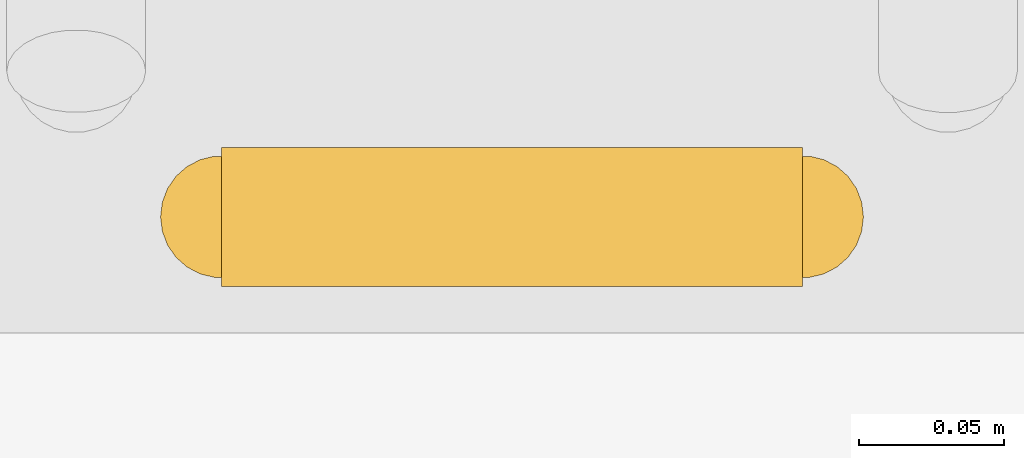
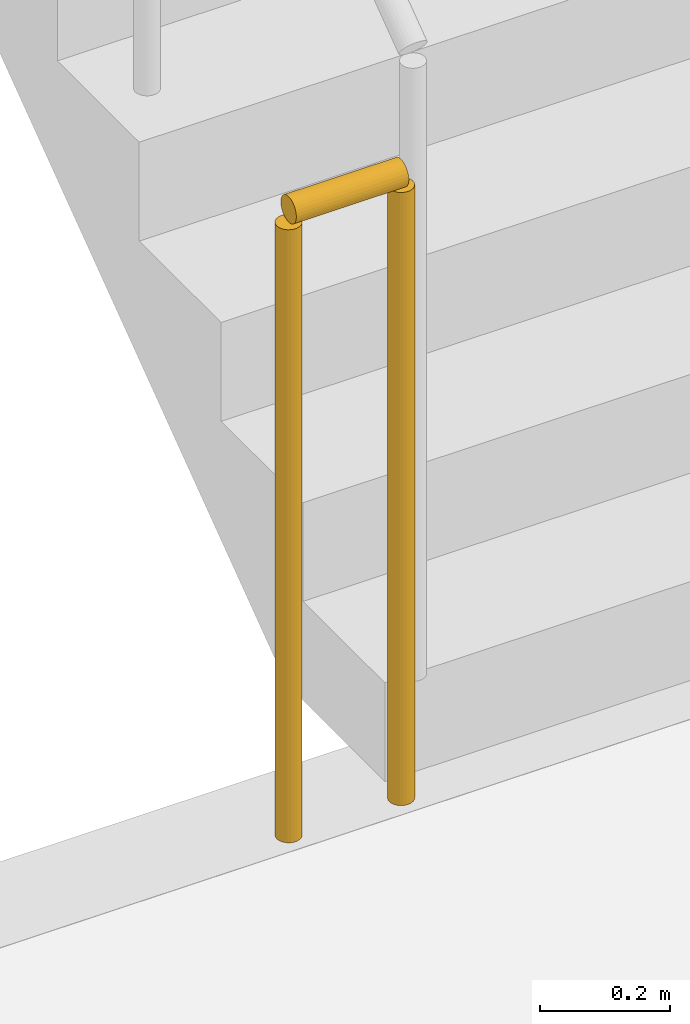
# One storey, part 11 of 15: 1 railing.
"""IFC4 building model written with IfcOpenShell, lengths in metres."""

from ifc_helpers import new_model, si_unit, direction, frame, origin, origin_2d, place, context, subcontext, project, spatial, circle, extrude, material, layer, layer_set, type_object, element, save


model = new_model("IFC4")

# Units and contexts
model_context = context("Model", 3, precision=1e-05, world=origin(), true_north=direction((0.0, 1.0)))
body_context = subcontext(model_context, "Body", "Model", "MODEL_VIEW")
ifc_project = project(units=[si_unit("LENGTHUNIT", "METRE"), si_unit("AREAUNIT", "SQUARE_METRE"), si_unit("VOLUMEUNIT", "CUBIC_METRE"), si_unit("PLANEANGLEUNIT", "RADIAN"), si_unit("MASSUNIT", "GRAM", prefix="KILO")], contexts=[model_context])

# Site, building, storey
site_placement = place(None, origin())
site = spatial("IfcSite", under=ifc_project, at=site_placement, CompositionType="ELEMENT")
building_placement = place(site_placement, origin())
building = spatial("IfcBuilding", under=site, at=building_placement, Name="Noeulbin Bourse Tower", CompositionType="ELEMENT")
storey_placement = place(building_placement, frame((0.0, 0.0, -10.199951171875)))
storey = spatial("IfcBuildingStorey", under=building, at=storey_placement, Name="B02", CompositionType="ELEMENT", Elevation=-10.199951171875)

# Railing
ifc_material = material(Name="Painted Tubular Steel S355", Category="steel")
ifc_layer = layer(ifc_material, 0.048095703125)
ifc_layer_set = layer_set([ifc_layer], Name="Painted Tubular Steel S355")
railing_type = type_object("IfcRailingType", Name="RLG-STR-GRD", PredefinedType="GUARDRAIL", material=ifc_layer_set)
railing_placement = place(storey_placement, frame((16.199951171875, 31.760009765625, 0.0)))
element("IfcRailing", 1, at=railing_placement, inside=storey, type_object=railing_type, Name="B02 ST-1 stair guard 4", PredefinedType="GUARDRAIL", context=body_context, shape_type="SweptSolid", body=[
    extrude(circle(Radius=0.02392578125, at=origin_2d()), frame((0.0, 0.0, 1.17578125), z_axis=(-1.0, 0.0, 0.0), x_axis=(0.0, -1.0, 0.0)), (0.0, 0.0, 1.0), 0.199951171875),
    extrude(circle(Radius=0.02099609375, at=origin_2d()), origin(), (0.0, 0.0, 1.0), 1.15185546875),
    extrude(circle(Radius=0.02099609375, at=origin_2d()), frame((-0.199951171875, 0.0, 0.0)), (0.0, 0.0, 1.0), 1.15185546875),
])

save(model, "model.ifc")
